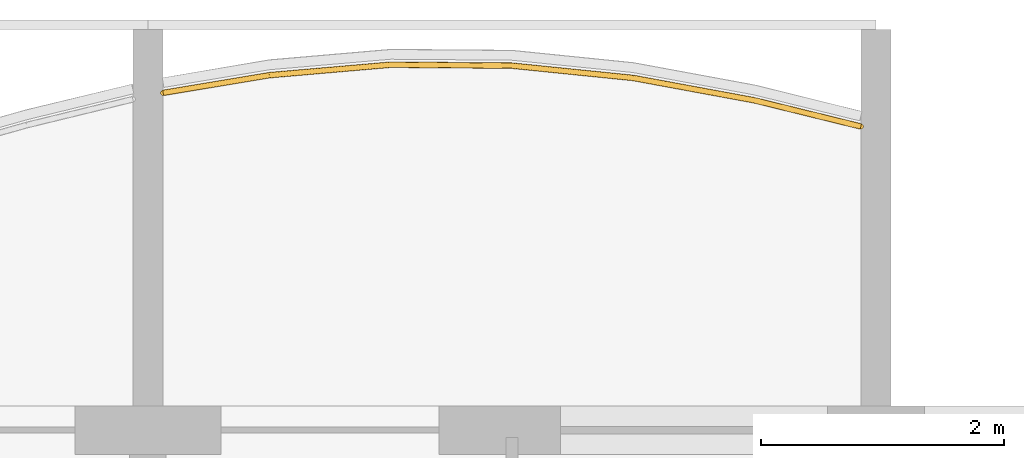
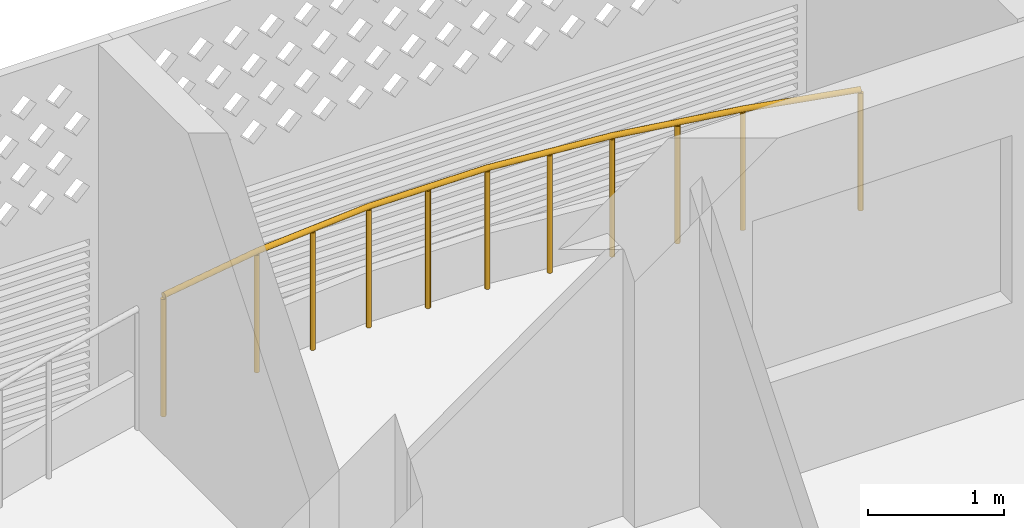
# One storey, part 24 of 33: 1 railing.
"""IFC4 building model written with IfcOpenShell, lengths in metres."""

from ifc_helpers import new_model, si_unit, direction, frame, origin, origin_2d, place, context, subcontext, project, spatial, circle, extrude, material, type_object, element, save


model = new_model("IFC4")

# Units and contexts
model_context = context("Model", 3, precision=1e-05, world=origin(), true_north=direction((0.0, 1.0)))
body_context = subcontext(model_context, "Body", "Model", "MODEL_VIEW")
ifc_project = project(units=[si_unit("LENGTHUNIT", "METRE"), si_unit("AREAUNIT", "SQUARE_METRE"), si_unit("VOLUMEUNIT", "CUBIC_METRE"), si_unit("PLANEANGLEUNIT", "RADIAN"), si_unit("MASSUNIT", "GRAM", prefix="KILO")], contexts=[model_context])

# Site, building, storey
site_placement = place(None, origin())
site = spatial("IfcSite", under=ifc_project, at=site_placement, CompositionType="ELEMENT")
building_placement = place(site_placement, origin())
building = spatial("IfcBuilding", under=site, at=building_placement, Name="Poui Terraces", CompositionType="ELEMENT")
storey_placement = place(building_placement, frame((0.0, 0.0, 138.89990234375)))
storey = spatial("IfcBuildingStorey", under=building, at=storey_placement, Name="L38", CompositionType="ELEMENT", Elevation=138.89990234375)

# Railing
ifc_material = material(Name="Painted steel fretwork", Category="steel")
railing_type = type_object("IfcRailingType", Name="BALCONY GUARD 1100", PredefinedType="GUARDRAIL", material=ifc_material)
railing_placement = place(storey_placement, frame((42.125, 45.17919921875, 0.0)))
element("IfcRailing", 1, at=railing_placement, inside=storey, type_object=railing_type, Name="BALCONY GUARD", PredefinedType="GUARDRAIL", context=body_context, shape_type="SweptSolid", body=[
    extrude(circle(Radius=0.02392578125, at=origin_2d()), frame((0.0, 0.0, 1.076171875), z_axis=(0.986364154898, 0.164577501292, 0.0), x_axis=(-0.164577501292, 0.986364154898, 0.0)), (0.0, 0.0, 1.0), 0.88720703125),
    extrude(circle(Radius=0.02392578125, at=origin_2d()), frame((0.875, 0.14599609375, 1.076171875), z_axis=(0.996286084847, 0.086104803231, 0.0), x_axis=(-0.086104803231, 0.996286084847, 0.0)), (0.0, 0.0, 1.0), 1.003662109375),
    extrude(circle(Radius=0.02392578125, at=origin_2d()), frame((1.875, 0.232421875, 1.076171875), z_axis=(0.999969483819, -0.007812261592, 0.0), x_axis=(0.007812261592, 0.999969483819, 0.0)), (0.0, 0.0, 1.0), 1.0),
    extrude(circle(Radius=0.02392578125, at=origin_2d()), frame((2.875, 0.224609375, 1.076171875), z_axis=(0.994882088655, -0.101042712129, 0.0), x_axis=(0.101042712129, 0.994882088655, 0.0)), (0.0, 0.0, 1.0), 1.005126953125),
    extrude(circle(Radius=0.02392578125, at=origin_2d()), frame((3.875, 0.123046875, 1.076171875), z_axis=(0.983390092547, -0.181504616691, 0.0), x_axis=(0.181504616691, 0.983390092547, 0.0)), (0.0, 0.0, 1.0), 1.016845703125),
    extrude(circle(Radius=0.02392578125, at=origin_2d()), frame((4.875, -0.0615234375, 1.076171875), z_axis=(0.971091259347, -0.238708537803, 0.0), x_axis=(0.238708537803, 0.971091259347, 0.0)), (0.0, 0.0, 1.0), 0.901123046875),
    extrude(circle(Radius=0.02099609375, at=origin_2d()), origin(), (0.0, 0.0, 1.0), 1.052001953125),
    extrude(circle(Radius=0.02099609375, at=origin_2d()), frame((0.875, 0.14599609375, 0.0)), (0.0, 0.0, 1.0), 1.052001953125),
    extrude(circle(Radius=0.02099609375, at=origin_2d()), frame((1.375, 0.189208984375, 0.0)), (0.0, 0.0, 1.0), 1.052001953125),
    extrude(circle(Radius=0.02099609375, at=origin_2d()), frame((1.875, 0.232421875, 0.0)), (0.0, 0.0, 1.0), 1.052001953125),
    extrude(circle(Radius=0.02099609375, at=origin_2d()), frame((2.375, 0.228515625, 0.0)), (0.0, 0.0, 1.0), 1.052001953125),
    extrude(circle(Radius=0.02099609375, at=origin_2d()), frame((2.875, 0.224609375, 0.0)), (0.0, 0.0, 1.0), 1.052001953125),
    extrude(circle(Radius=0.02099609375, at=origin_2d()), frame((3.375, 0.173828125, 0.0)), (0.0, 0.0, 1.0), 1.052001953125),
    extrude(circle(Radius=0.02099609375, at=origin_2d()), frame((3.875, 0.123046875, 0.0)), (0.0, 0.0, 1.0), 1.052001953125),
    extrude(circle(Radius=0.02099609375, at=origin_2d()), frame((4.375, 0.03076171875, 0.0)), (0.0, 0.0, 1.0), 1.052001953125),
    extrude(circle(Radius=0.02099609375, at=origin_2d()), frame((4.875, -0.0615234375, 0.0)), (0.0, 0.0, 1.0), 1.052001953125),
    extrude(circle(Radius=0.02099609375, at=origin_2d()), frame((5.75, -0.276611328125, 0.0)), (0.0, 0.0, 1.0), 1.052001953125),
])

save(model, "model.ifc")
